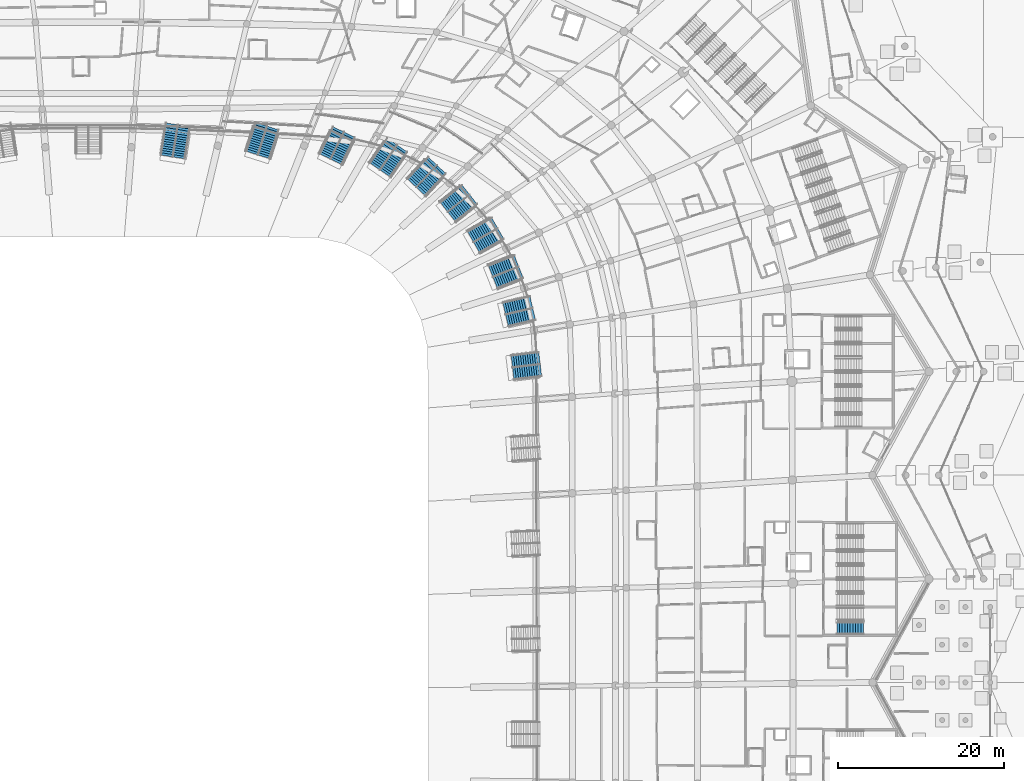
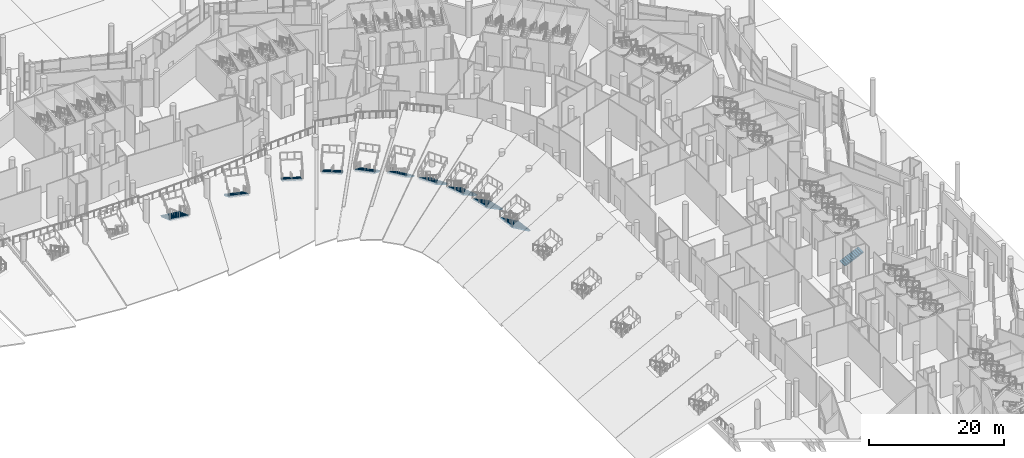
# One storey, part 177 of 255: 21 stair flights, 11 elements without a shape of their own.
"""IFC4 building model written with IfcOpenShell, lengths in metres."""

from ifc_helpers import new_model, si_unit, direction, frame, origin, place, context, subcontext, project, spatial, polyline, outline, extrude, material, type_object, element, aggregate, save


model = new_model("IFC4")

# Units and contexts
model_context = context("Model", 3, precision=1e-05, world=origin(), true_north=direction((0.0, 1.0)))
body_context = subcontext(model_context, "Body", "Model", "MODEL_VIEW")
ifc_project = project(units=[si_unit("LENGTHUNIT", "METRE"), si_unit("AREAUNIT", "SQUARE_METRE"), si_unit("VOLUMEUNIT", "CUBIC_METRE"), si_unit("PLANEANGLEUNIT", "RADIAN"), si_unit("MASSUNIT", "GRAM", prefix="KILO")], contexts=[model_context])

# Site, building, storey
site_placement = place(None, origin())
site = spatial("IfcSite", under=ifc_project, at=site_placement, CompositionType="ELEMENT")
building_placement = place(site_placement, origin())
building = spatial("IfcBuilding", under=site, at=building_placement, Name="Meseta Stadium", CompositionType="ELEMENT")
storey_placement = place(building_placement, origin())
storey = spatial("IfcBuildingStorey", under=building, at=storey_placement, Name="L00", CompositionType="ELEMENT", Elevation=0.0)

# Stair, stair flight
ifc_material_1 = material(Name="Concrete C40/50", Category="concrete")
stair_type_1 = type_object("IfcStairType", Name="Exit stair 4 flights 148 mm risers", PredefinedType="HALF_TURN_STAIR", material=ifc_material_1)
stair_1_placement = place(storey_placement, origin())
stair_1 = element("IfcStair", 1, at=stair_1_placement, inside=storey, type_object=stair_type_1, Name="ST13 L00", PredefinedType="HALF_TURN_STAIR")
ifc_material_2 = material(Name="Concrete C40/50", Category="concrete")
stair_flight_type_1 = type_object("IfcStairFlightType", Name="Exit stair flight 148 mm risers, 4 per storey", PredefinedType="STRAIGHT", material=ifc_material_2)
stair_flight_1_placement = place(storey_placement, frame((90.300048828125, 12.800048828125, 0.0), z_axis=(0.0, 0.0, 1.0), x_axis=(1.0, 0.0, 0.0)))
stair_flight_1 = element("IfcStairFlight", 2, at=stair_flight_1_placement, type_object=stair_flight_type_1, Name="ST13 L00 flight 1", NumberOfRisers=11, NumberOfTreads=10, PredefinedType="STRAIGHT", RiserHeight=0.147727273, TreadLength=0.32, context=body_context, shape_type="SweptSolid", body=[
    extrude(outline(polyline([(0.0, 0.0), (0.0, 0.147705078125), (0.320068359375, 0.147705078125), (0.320068359375, 0.29541015625), (0.639892578125, 0.29541015625), (0.639892578125, 0.443115234375), (0.9599609375, 0.443115234375), (0.9599609375, 0.5908203125), (1.280029296875, 0.5908203125), (1.280029296875, 0.738525390625), (1.60009765625, 0.738525390625), (1.60009765625, 0.886474609375), (1.919921875, 0.886474609375), (1.919921875, 1.0341796875), (2.239990234375, 1.0341796875), (2.239990234375, 1.181884765625), (2.56005859375, 1.181884765625), (2.56005859375, 1.32958984375), (2.8798828125, 1.32958984375), (2.8798828125, 1.477294921875), (3.199951171875, 1.477294921875), (3.199951171875, 1.312255859375), (0.357666015625, 0.0), (0.0, 0.0)])), frame((0.0, 0.75, 0.0), z_axis=(0.0, -1.0, 0.0), x_axis=(1.0, 0.0, 0.0)), (0.0, 0.0, 1.0), 1.5),
])
aggregate(stair_1, [stair_flight_1])

# Stair, stair flights
ifc_material_3 = material(Name="Concrete C40/50", Category="concrete")
stair_type_2 = type_object("IfcStairType", Name="Vomitory stair 3000", PredefinedType="STRAIGHT_RUN_STAIR", material=ifc_material_3)
stair_2_placement = place(storey_placement, origin())
stair_2 = element("IfcStair", 3, at=stair_2_placement, inside=storey, type_object=stair_type_2, Name="Vomitory V-lower-09", PredefinedType="STRAIGHT_RUN_STAIR")
ifc_material_4 = material(Name="Concrete C40/50", Category="concrete")
stair_flight_type_2 = type_object("IfcStairFlightType", Name="Vomitory stair flight 1450", PredefinedType="STRAIGHT", material=ifc_material_4)
stair_flight_2_placement = place(storey_placement, frame((54.60009765625, 43.8671875, 0.0), z_axis=(0.0, 0.0, 1.0), x_axis=(-0.993015017931, -0.117988025512, 0.0)))
stair_flight_2 = element("IfcStairFlight", 4, at=stair_flight_2_placement, type_object=stair_flight_type_2, Name="Vomitory V-lower-09 flight 1", NumberOfRisers=13, NumberOfTreads=12, PredefinedType="STRAIGHT", RiserHeight=0.172959, TreadLength=0.28, context=body_context, shape_type="SweptSolid", body=[
    extrude(outline(polyline([(0.0, 0.0), (0.0, 0.1728515625), (0.280029296875, 0.1728515625), (0.280029296875, 0.345947265625), (0.56005859375, 0.345947265625), (0.56005859375, 0.518798828125), (0.840087890625, 0.518798828125), (0.840087890625, 0.69189453125), (1.1201171875, 0.69189453125), (1.1201171875, 0.86474609375), (1.39990234375, 0.86474609375), (1.39990234375, 1.037841796875), (1.679931640625, 1.037841796875), (1.679931640625, 1.210693359375), (1.9599609375, 1.210693359375), (1.9599609375, 1.3837890625), (2.239990234375, 1.3837890625), (2.239990234375, 1.556640625), (2.52001953125, 1.556640625), (2.52001953125, 1.7294921875), (2.800048828125, 1.7294921875), (2.800048828125, 1.902587890625), (3.080078125, 1.902587890625), (3.080078125, 2.075439453125), (3.360107421875, 2.075439453125), (3.360107421875, 1.8994140625), (0.28515625, 0.0), (0.0, 0.0)])), frame((0.0, 0.72509765625, 0.0), z_axis=(0.0, -1.0, 0.0), x_axis=(1.0, 0.0, 0.0)), (0.0, 0.0, 1.0), 1.449951171875),
])
stair_flight_3_placement = place(storey_placement, frame((54.417236328125, 45.40625, 0.0), z_axis=(0.0, 0.0, 1.0), x_axis=(-0.993015017931, -0.117988025512, 0.0)))
stair_flight_3 = element("IfcStairFlight", 5, at=stair_flight_3_placement, type_object=stair_flight_type_2, Name="Vomitory V-lower-09 flight 2", NumberOfRisers=13, NumberOfTreads=12, PredefinedType="STRAIGHT", RiserHeight=0.172959, TreadLength=0.28, context=body_context, shape_type="SweptSolid", body=[
    extrude(outline(polyline([(0.0, 0.0), (0.0, 0.1728515625), (0.280029296875, 0.1728515625), (0.280029296875, 0.345947265625), (0.56005859375, 0.345947265625), (0.56005859375, 0.518798828125), (0.840087890625, 0.518798828125), (0.840087890625, 0.69189453125), (1.1201171875, 0.69189453125), (1.1201171875, 0.86474609375), (1.39990234375, 0.86474609375), (1.39990234375, 1.037841796875), (1.679931640625, 1.037841796875), (1.679931640625, 1.210693359375), (1.9599609375, 1.210693359375), (1.9599609375, 1.3837890625), (2.239990234375, 1.3837890625), (2.239990234375, 1.556640625), (2.52001953125, 1.556640625), (2.52001953125, 1.7294921875), (2.800048828125, 1.7294921875), (2.800048828125, 1.902587890625), (3.080078125, 1.902587890625), (3.080078125, 2.075439453125), (3.360107421875, 2.075439453125), (3.360107421875, 1.8994140625), (0.28515625, 0.0), (0.0, 0.0)])), frame((0.0, 0.72509765625, 0.0), z_axis=(0.0, -1.0, 0.0), x_axis=(1.0, 0.0, 0.0)), (0.0, 0.0, 1.0), 1.449951171875),
])
aggregate(stair_2, [stair_flight_2, stair_flight_3])

stair_3_placement = place(storey_placement, origin())
stair_3 = element("IfcStair", 6, at=stair_3_placement, inside=storey, type_object=stair_type_2, Name="Vomitory V-lower-10", PredefinedType="STRAIGHT_RUN_STAIR")
stair_flight_4_placement = place(storey_placement, frame((53.78466796875, 50.648193359375, 0.0), z_axis=(0.0, 0.0, 1.0), x_axis=(-0.973256309483, -0.229721910255, 0.0)))
stair_flight_4 = element("IfcStairFlight", 7, at=stair_flight_4_placement, type_object=stair_flight_type_2, Name="Vomitory V-lower-10 flight 1", NumberOfRisers=13, NumberOfTreads=12, PredefinedType="STRAIGHT", RiserHeight=0.164433, TreadLength=0.28, context=body_context, shape_type="SweptSolid", body=[
    extrude(outline(polyline([(0.0, 0.0), (0.0, 0.16455078125), (0.280029296875, 0.16455078125), (0.280029296875, 0.328857421875), (0.56005859375, 0.328857421875), (0.56005859375, 0.493408203125), (0.840087890625, 0.493408203125), (0.840087890625, 0.65771484375), (1.1201171875, 0.65771484375), (1.1201171875, 0.822265625), (1.39990234375, 0.822265625), (1.39990234375, 0.986572265625), (1.679931640625, 0.986572265625), (1.679931640625, 1.151123046875), (1.9599609375, 1.151123046875), (1.9599609375, 1.3154296875), (2.239990234375, 1.3154296875), (2.239990234375, 1.47998046875), (2.52001953125, 1.47998046875), (2.52001953125, 1.644287109375), (2.800048828125, 1.644287109375), (2.800048828125, 1.808837890625), (3.080078125, 1.808837890625), (3.080078125, 1.97314453125), (3.360107421875, 1.97314453125), (3.360107421875, 1.79931640625), (0.2958984375, 0.0), (0.0, 0.0)])), frame((0.0, 0.72509765625, 0.0), z_axis=(0.0, -1.0, 0.0), x_axis=(1.0, 0.0, 0.0)), (0.0, 0.0, 1.0), 1.449951171875),
])
stair_flight_5_placement = place(storey_placement, frame((53.428466796875, 52.15673828125, 0.0), z_axis=(0.0, 0.0, 1.0), x_axis=(-0.973256309483, -0.229721910255, 0.0)))
stair_flight_5 = element("IfcStairFlight", 8, at=stair_flight_5_placement, type_object=stair_flight_type_2, Name="Vomitory V-lower-10 flight 2", NumberOfRisers=13, NumberOfTreads=12, PredefinedType="STRAIGHT", RiserHeight=0.164433, TreadLength=0.28, context=body_context, shape_type="SweptSolid", body=[
    extrude(outline(polyline([(0.0, 0.0), (0.0, 0.16455078125), (0.280029296875, 0.16455078125), (0.280029296875, 0.328857421875), (0.56005859375, 0.328857421875), (0.56005859375, 0.493408203125), (0.840087890625, 0.493408203125), (0.840087890625, 0.65771484375), (1.1201171875, 0.65771484375), (1.1201171875, 0.822265625), (1.39990234375, 0.822265625), (1.39990234375, 0.986572265625), (1.679931640625, 0.986572265625), (1.679931640625, 1.151123046875), (1.9599609375, 1.151123046875), (1.9599609375, 1.3154296875), (2.239990234375, 1.3154296875), (2.239990234375, 1.47998046875), (2.52001953125, 1.47998046875), (2.52001953125, 1.644287109375), (2.800048828125, 1.644287109375), (2.800048828125, 1.808837890625), (3.080078125, 1.808837890625), (3.080078125, 1.97314453125), (3.360107421875, 1.97314453125), (3.360107421875, 1.79931640625), (0.2958984375, 0.0), (0.0, 0.0)])), frame((0.0, 0.72509765625, 0.0), z_axis=(0.0, -1.0, 0.0), x_axis=(1.0, 0.0, 0.0)), (0.0, 0.0, 1.0), 1.449951171875),
])
aggregate(stair_3, [stair_flight_4, stair_flight_5])

stair_4_placement = place(storey_placement, origin())
stair_4 = element("IfcStair", 9, at=stair_4_placement, inside=storey, type_object=stair_type_2, Name="Vomitory V-lower-11", PredefinedType="STRAIGHT_RUN_STAIR")
stair_flight_6_placement = place(storey_placement, frame((52.209228515625, 55.6787109375, 0.0), z_axis=(0.0, 0.0, 1.0), x_axis=(-0.930263326339, -0.366892550576, 0.0)))
stair_flight_6 = element("IfcStairFlight", 10, at=stair_flight_6_placement, type_object=stair_flight_type_2, Name="Vomitory V-lower-11 flight 1", NumberOfRisers=13, NumberOfTreads=12, PredefinedType="STRAIGHT", RiserHeight=0.164429, TreadLength=0.28, context=body_context, shape_type="SweptSolid", body=[
    extrude(outline(polyline([(0.0, 0.0), (0.0, 0.16455078125), (0.280029296875, 0.16455078125), (0.280029296875, 0.328857421875), (0.56005859375, 0.328857421875), (0.56005859375, 0.493408203125), (0.840087890625, 0.493408203125), (0.840087890625, 0.65771484375), (1.1201171875, 0.65771484375), (1.1201171875, 0.822265625), (1.39990234375, 0.822265625), (1.39990234375, 0.986572265625), (1.679931640625, 0.986572265625), (1.679931640625, 1.151123046875), (1.9599609375, 1.151123046875), (1.9599609375, 1.3154296875), (2.239990234375, 1.3154296875), (2.239990234375, 1.47998046875), (2.52001953125, 1.47998046875), (2.52001953125, 1.644287109375), (2.800048828125, 1.644287109375), (2.800048828125, 1.808837890625), (3.080078125, 1.808837890625), (3.080078125, 1.97314453125), (3.360107421875, 1.97314453125), (3.360107421875, 1.79931640625), (0.296142578125, 0.0), (0.0, 0.0)])), frame((0.0, 0.72509765625, 0.0), z_axis=(0.0, -1.0, 0.0), x_axis=(1.0, 0.0, 0.0)), (0.0, 0.0, 1.0), 1.449951171875),
])
stair_flight_7_placement = place(storey_placement, frame((51.640625, 57.12060546875, 0.0), z_axis=(0.0, 0.0, 1.0), x_axis=(-0.930263326339, -0.366892550576, 0.0)))
stair_flight_7 = element("IfcStairFlight", 11, at=stair_flight_7_placement, type_object=stair_flight_type_2, Name="Vomitory V-lower-11 flight 2", NumberOfRisers=13, NumberOfTreads=12, PredefinedType="STRAIGHT", RiserHeight=0.164429, TreadLength=0.28, context=body_context, shape_type="SweptSolid", body=[
    extrude(outline(polyline([(0.0, 0.0), (0.0, 0.16455078125), (0.280029296875, 0.16455078125), (0.280029296875, 0.328857421875), (0.56005859375, 0.328857421875), (0.56005859375, 0.493408203125), (0.840087890625, 0.493408203125), (0.840087890625, 0.65771484375), (1.1201171875, 0.65771484375), (1.1201171875, 0.822265625), (1.39990234375, 0.822265625), (1.39990234375, 0.986572265625), (1.679931640625, 0.986572265625), (1.679931640625, 1.151123046875), (1.9599609375, 1.151123046875), (1.9599609375, 1.3154296875), (2.239990234375, 1.3154296875), (2.239990234375, 1.47998046875), (2.52001953125, 1.47998046875), (2.52001953125, 1.644287109375), (2.800048828125, 1.644287109375), (2.800048828125, 1.808837890625), (3.080078125, 1.808837890625), (3.080078125, 1.97314453125), (3.360107421875, 1.97314453125), (3.360107421875, 1.79931640625), (0.296142578125, 0.0), (0.0, 0.0)])), frame((0.0, 0.72509765625, 0.0), z_axis=(0.0, -1.0, 0.0), x_axis=(1.0, 0.0, 0.0)), (0.0, 0.0, 1.0), 1.449951171875),
])
aggregate(stair_4, [stair_flight_6, stair_flight_7])

stair_5_placement = place(storey_placement, origin())
stair_5 = element("IfcStair", 12, at=stair_5_placement, inside=storey, type_object=stair_type_2, Name="Vomitory V-lower-12", PredefinedType="STRAIGHT_RUN_STAIR")
stair_flight_8_placement = place(storey_placement, frame((49.777587890625, 60.35498046875, 0.0), z_axis=(0.0, 0.0, 1.0), x_axis=(-0.867711670531, -0.497067859376, 0.0)))
stair_flight_8 = element("IfcStairFlight", 13, at=stair_flight_8_placement, type_object=stair_flight_type_2, Name="Vomitory V-lower-12 flight 1", NumberOfRisers=13, NumberOfTreads=12, PredefinedType="STRAIGHT", RiserHeight=0.168326, TreadLength=0.28, context=body_context, shape_type="SweptSolid", body=[
    extrude(outline(polyline([(0.0, 0.0), (0.0, 0.168212890625), (0.280029296875, 0.168212890625), (0.280029296875, 0.336669921875), (0.56005859375, 0.336669921875), (0.56005859375, 0.5048828125), (0.840087890625, 0.5048828125), (0.840087890625, 0.67333984375), (1.1201171875, 0.67333984375), (1.1201171875, 0.841552734375), (1.39990234375, 0.841552734375), (1.39990234375, 1.010009765625), (1.679931640625, 1.010009765625), (1.679931640625, 1.17822265625), (1.9599609375, 1.17822265625), (1.9599609375, 1.3466796875), (2.239990234375, 1.3466796875), (2.239990234375, 1.514892578125), (2.52001953125, 1.514892578125), (2.52001953125, 1.683349609375), (2.800048828125, 1.683349609375), (2.800048828125, 1.8515625), (3.080078125, 1.8515625), (3.080078125, 2.02001953125), (3.360107421875, 2.02001953125), (3.360107421875, 1.844970703125), (0.291015625, 0.0), (0.0, 0.0)])), frame((0.0, 0.72509765625, 0.0), z_axis=(0.0, -1.0, 0.0), x_axis=(1.0, 0.0, 0.0)), (0.0, 0.0, 1.0), 1.449951171875),
])
stair_flight_9_placement = place(storey_placement, frame((49.007080078125, 61.699951171875, 0.0), z_axis=(0.0, 0.0, 1.0), x_axis=(-0.867711670531, -0.497067859376, 0.0)))
stair_flight_9 = element("IfcStairFlight", 14, at=stair_flight_9_placement, type_object=stair_flight_type_2, Name="Vomitory V-lower-12 flight 2", NumberOfRisers=13, NumberOfTreads=12, PredefinedType="STRAIGHT", RiserHeight=0.168326, TreadLength=0.28, context=body_context, shape_type="SweptSolid", body=[
    extrude(outline(polyline([(0.0, 0.0), (0.0, 0.168212890625), (0.280029296875, 0.168212890625), (0.280029296875, 0.336669921875), (0.56005859375, 0.336669921875), (0.56005859375, 0.5048828125), (0.840087890625, 0.5048828125), (0.840087890625, 0.67333984375), (1.1201171875, 0.67333984375), (1.1201171875, 0.841552734375), (1.39990234375, 0.841552734375), (1.39990234375, 1.010009765625), (1.679931640625, 1.010009765625), (1.679931640625, 1.17822265625), (1.9599609375, 1.17822265625), (1.9599609375, 1.3466796875), (2.239990234375, 1.3466796875), (2.239990234375, 1.514892578125), (2.52001953125, 1.514892578125), (2.52001953125, 1.683349609375), (2.800048828125, 1.683349609375), (2.800048828125, 1.8515625), (3.080078125, 1.8515625), (3.080078125, 2.02001953125), (3.360107421875, 2.02001953125), (3.360107421875, 1.844970703125), (0.291015625, 0.0), (0.0, 0.0)])), frame((0.0, 0.72509765625, 0.0), z_axis=(0.0, -1.0, 0.0), x_axis=(1.0, 0.0, 0.0)), (0.0, 0.0, 1.0), 1.449951171875),
])
aggregate(stair_5, [stair_flight_8, stair_flight_9])

stair_6_placement = place(storey_placement, origin())
stair_6 = element("IfcStair", 15, at=stair_6_placement, inside=storey, type_object=stair_type_2, Name="Vomitory V-lower-13", PredefinedType="STRAIGHT_RUN_STAIR")
stair_flight_10_placement = place(storey_placement, frame((46.481201171875, 64.47998046875, 0.0), z_axis=(0.0, 0.0, 1.0), x_axis=(-0.786141751877, -0.618046232862, 0.0)))
stair_flight_10 = element("IfcStairFlight", 16, at=stair_flight_10_placement, type_object=stair_flight_type_2, Name="Vomitory V-lower-13 flight 1", NumberOfRisers=13, NumberOfTreads=12, PredefinedType="STRAIGHT", RiserHeight=0.172209, TreadLength=0.28, context=body_context, shape_type="SweptSolid", body=[
    extrude(outline(polyline([(0.0, 0.0), (0.0, 0.172119140625), (0.280029296875, 0.172119140625), (0.280029296875, 0.344482421875), (0.56005859375, 0.344482421875), (0.56005859375, 0.5166015625), (0.840087890625, 0.5166015625), (0.840087890625, 0.688720703125), (1.1201171875, 0.688720703125), (1.1201171875, 0.861083984375), (1.39990234375, 0.861083984375), (1.39990234375, 1.033203125), (1.679931640625, 1.033203125), (1.679931640625, 1.20556640625), (1.9599609375, 1.20556640625), (1.9599609375, 1.377685546875), (2.239990234375, 1.377685546875), (2.239990234375, 1.5498046875), (2.52001953125, 1.5498046875), (2.52001953125, 1.72216796875), (2.800048828125, 1.72216796875), (2.800048828125, 1.894287109375), (3.080078125, 1.894287109375), (3.080078125, 2.06640625), (3.360107421875, 2.06640625), (3.360107421875, 1.890625), (0.2861328125, 0.0), (0.0, 0.0)])), frame((0.0, 0.72509765625, 0.0), z_axis=(0.0, -1.0, 0.0), x_axis=(1.0, 0.0, 0.0)), (0.0, 0.0, 1.0), 1.449951171875),
])
stair_flight_11_placement = place(storey_placement, frame((45.523193359375, 65.698486328125, 0.0), z_axis=(0.0, 0.0, 1.0), x_axis=(-0.786141751877, -0.618046232862, 0.0)))
stair_flight_11 = element("IfcStairFlight", 17, at=stair_flight_11_placement, type_object=stair_flight_type_2, Name="Vomitory V-lower-13 flight 2", NumberOfRisers=13, NumberOfTreads=12, PredefinedType="STRAIGHT", RiserHeight=0.172209, TreadLength=0.28, context=body_context, shape_type="SweptSolid", body=[
    extrude(outline(polyline([(0.0, 0.0), (0.0, 0.172119140625), (0.280029296875, 0.172119140625), (0.280029296875, 0.344482421875), (0.56005859375, 0.344482421875), (0.56005859375, 0.5166015625), (0.840087890625, 0.5166015625), (0.840087890625, 0.688720703125), (1.1201171875, 0.688720703125), (1.1201171875, 0.861083984375), (1.39990234375, 0.861083984375), (1.39990234375, 1.033203125), (1.679931640625, 1.033203125), (1.679931640625, 1.20556640625), (1.9599609375, 1.20556640625), (1.9599609375, 1.377685546875), (2.239990234375, 1.377685546875), (2.239990234375, 1.5498046875), (2.52001953125, 1.5498046875), (2.52001953125, 1.72216796875), (2.800048828125, 1.72216796875), (2.800048828125, 1.894287109375), (3.080078125, 1.894287109375), (3.080078125, 2.06640625), (3.360107421875, 2.06640625), (3.360107421875, 1.890625), (0.2861328125, 0.0), (0.0, 0.0)])), frame((0.0, 0.72509765625, 0.0), z_axis=(0.0, -1.0, 0.0), x_axis=(1.0, 0.0, 0.0)), (0.0, 0.0, 1.0), 1.449951171875),
])
aggregate(stair_6, [stair_flight_10, stair_flight_11])

stair_7_placement = place(storey_placement, origin())
stair_7 = element("IfcStair", 18, at=stair_7_placement, inside=storey, type_object=stair_type_2, Name="Vomitory V-lower-14", PredefinedType="STRAIGHT_RUN_STAIR")
stair_flight_12_placement = place(storey_placement, frame((42.6298828125, 68.103759765625, 0.0), z_axis=(0.0, 0.0, 1.0), x_axis=(-0.686064733008, -0.72754050205, 0.0)))
stair_flight_12 = element("IfcStairFlight", 19, at=stair_flight_12_placement, type_object=stair_flight_type_2, Name="Vomitory V-lower-14 flight 1", NumberOfRisers=14, NumberOfTreads=13, PredefinedType="STRAIGHT", RiserHeight=0.163499, TreadLength=0.28, context=body_context, shape_type="SweptSolid", body=[
    extrude(outline(polyline([(0.0, 0.0), (0.0, 0.16357421875), (0.280029296875, 0.16357421875), (0.280029296875, 0.326904296875), (0.56005859375, 0.326904296875), (0.56005859375, 0.490478515625), (0.840087890625, 0.490478515625), (0.840087890625, 0.654052734375), (1.1201171875, 0.654052734375), (1.1201171875, 0.8173828125), (1.39990234375, 0.8173828125), (1.39990234375, 0.98095703125), (1.679931640625, 0.98095703125), (1.679931640625, 1.14453125), (1.9599609375, 1.14453125), (1.9599609375, 1.30810546875), (2.239990234375, 1.30810546875), (2.239990234375, 1.471435546875), (2.52001953125, 1.471435546875), (2.52001953125, 1.635009765625), (2.800048828125, 1.635009765625), (2.800048828125, 1.798583984375), (3.080078125, 1.798583984375), (3.080078125, 1.9619140625), (3.360107421875, 1.9619140625), (3.360107421875, 2.12548828125), (3.639892578125, 2.12548828125), (3.639892578125, 1.951904296875), (0.29736328125, 0.0), (0.0, 0.0)])), frame((0.0, 0.72509765625, 0.0), z_axis=(0.0, -1.0, 0.0), x_axis=(1.0, 0.0, 0.0)), (0.0, 0.0, 1.0), 1.449951171875),
])
stair_flight_13_placement = place(storey_placement, frame((41.502197265625, 69.167236328125, 0.0), z_axis=(0.0, 0.0, 1.0), x_axis=(-0.686064733008, -0.72754050205, 0.0)))
stair_flight_13 = element("IfcStairFlight", 20, at=stair_flight_13_placement, type_object=stair_flight_type_2, Name="Vomitory V-lower-14 flight 2", NumberOfRisers=14, NumberOfTreads=13, PredefinedType="STRAIGHT", RiserHeight=0.163499, TreadLength=0.28, context=body_context, shape_type="SweptSolid", body=[
    extrude(outline(polyline([(0.0, 0.0), (0.0, 0.16357421875), (0.280029296875, 0.16357421875), (0.280029296875, 0.326904296875), (0.56005859375, 0.326904296875), (0.56005859375, 0.490478515625), (0.840087890625, 0.490478515625), (0.840087890625, 0.654052734375), (1.1201171875, 0.654052734375), (1.1201171875, 0.8173828125), (1.39990234375, 0.8173828125), (1.39990234375, 0.98095703125), (1.679931640625, 0.98095703125), (1.679931640625, 1.14453125), (1.9599609375, 1.14453125), (1.9599609375, 1.30810546875), (2.239990234375, 1.30810546875), (2.239990234375, 1.471435546875), (2.52001953125, 1.471435546875), (2.52001953125, 1.635009765625), (2.800048828125, 1.635009765625), (2.800048828125, 1.798583984375), (3.080078125, 1.798583984375), (3.080078125, 1.9619140625), (3.360107421875, 1.9619140625), (3.360107421875, 2.12548828125), (3.639892578125, 2.12548828125), (3.639892578125, 1.951904296875), (0.29736328125, 0.0), (0.0, 0.0)])), frame((0.0, 0.72509765625, 0.0), z_axis=(0.0, -1.0, 0.0), x_axis=(1.0, 0.0, 0.0)), (0.0, 0.0, 1.0), 1.449951171875),
])
aggregate(stair_7, [stair_flight_12, stair_flight_13])

stair_8_placement = place(storey_placement, origin())
stair_8 = element("IfcStair", 21, at=stair_8_placement, inside=storey, type_object=stair_type_2, Name="Vomitory V-lower-15", PredefinedType="STRAIGHT_RUN_STAIR")
stair_flight_14_placement = place(storey_placement, frame((37.889892578125, 70.636474609375, 0.0), z_axis=(0.0, 0.0, 1.0), x_axis=(-0.567899772853, -0.82309771473, 0.0)))
stair_flight_14 = element("IfcStairFlight", 22, at=stair_flight_14_placement, type_object=stair_flight_type_2, Name="Vomitory V-lower-15 flight 1", NumberOfRisers=14, NumberOfTreads=13, PredefinedType="STRAIGHT", RiserHeight=0.163434, TreadLength=0.28, context=body_context, shape_type="SweptSolid", body=[
    extrude(outline(polyline([(0.0, 0.0), (0.0, 0.163330078125), (0.280029296875, 0.163330078125), (0.280029296875, 0.326904296875), (0.56005859375, 0.326904296875), (0.56005859375, 0.490234375), (0.840087890625, 0.490234375), (0.840087890625, 0.65380859375), (1.1201171875, 0.65380859375), (1.1201171875, 0.817138671875), (1.39990234375, 0.817138671875), (1.39990234375, 0.980712890625), (1.679931640625, 0.980712890625), (1.679931640625, 1.14404296875), (1.9599609375, 1.14404296875), (1.9599609375, 1.307373046875), (2.239990234375, 1.307373046875), (2.239990234375, 1.470947265625), (2.52001953125, 1.470947265625), (2.52001953125, 1.63427734375), (2.800048828125, 1.63427734375), (2.800048828125, 1.7978515625), (3.080078125, 1.7978515625), (3.080078125, 1.961181640625), (3.360107421875, 1.961181640625), (3.360107421875, 2.124755859375), (3.639892578125, 2.124755859375), (3.639892578125, 1.951171875), (0.29736328125, 0.0), (0.0, 0.0)])), frame((0.0, 0.72509765625, 0.0), z_axis=(0.0, -1.0, 0.0), x_axis=(1.0, 0.0, 0.0)), (0.0, 0.0, 1.0), 1.449951171875),
])
stair_flight_15_placement = place(storey_placement, frame((36.614013671875, 71.5166015625, 0.0), z_axis=(0.0, 0.0, 1.0), x_axis=(-0.567899772853, -0.82309771473, 0.0)))
stair_flight_15 = element("IfcStairFlight", 23, at=stair_flight_15_placement, type_object=stair_flight_type_2, Name="Vomitory V-lower-15 flight 2", NumberOfRisers=14, NumberOfTreads=13, PredefinedType="STRAIGHT", RiserHeight=0.163434, TreadLength=0.28, context=body_context, shape_type="SweptSolid", body=[
    extrude(outline(polyline([(0.0, 0.0), (0.0, 0.163330078125), (0.280029296875, 0.163330078125), (0.280029296875, 0.326904296875), (0.56005859375, 0.326904296875), (0.56005859375, 0.490234375), (0.840087890625, 0.490234375), (0.840087890625, 0.65380859375), (1.1201171875, 0.65380859375), (1.1201171875, 0.817138671875), (1.39990234375, 0.817138671875), (1.39990234375, 0.980712890625), (1.679931640625, 0.980712890625), (1.679931640625, 1.14404296875), (1.9599609375, 1.14404296875), (1.9599609375, 1.307373046875), (2.239990234375, 1.307373046875), (2.239990234375, 1.470947265625), (2.52001953125, 1.470947265625), (2.52001953125, 1.63427734375), (2.800048828125, 1.63427734375), (2.800048828125, 1.7978515625), (3.080078125, 1.7978515625), (3.080078125, 1.961181640625), (3.360107421875, 1.961181640625), (3.360107421875, 2.124755859375), (3.639892578125, 2.124755859375), (3.639892578125, 1.951171875), (0.29736328125, 0.0), (0.0, 0.0)])), frame((0.0, 0.72509765625, 0.0), z_axis=(0.0, -1.0, 0.0), x_axis=(1.0, 0.0, 0.0)), (0.0, 0.0, 1.0), 1.449951171875),
])
aggregate(stair_8, [stair_flight_14, stair_flight_15])

stair_9_placement = place(storey_placement, origin())
stair_9 = element("IfcStair", 24, at=stair_9_placement, inside=storey, type_object=stair_type_2, Name="Vomitory V-lower-16", PredefinedType="STRAIGHT_RUN_STAIR")
stair_flight_16_placement = place(storey_placement, frame((31.527587890625, 72.310791015625, 0.0), z_axis=(0.0, 0.0, 1.0), x_axis=(-0.437966379942, -0.898991351483, 0.0)))
stair_flight_16 = element("IfcStairFlight", 25, at=stair_flight_16_placement, type_object=stair_flight_type_2, Name="Vomitory V-lower-16 flight 1", NumberOfRisers=14, NumberOfTreads=13, PredefinedType="STRAIGHT", RiserHeight=0.16719, TreadLength=0.28, context=body_context, shape_type="SweptSolid", body=[
    extrude(outline(polyline([(0.0, 0.0), (0.0, 0.167236328125), (0.280029296875, 0.167236328125), (0.280029296875, 0.33447265625), (0.56005859375, 0.33447265625), (0.56005859375, 0.50146484375), (0.840087890625, 0.50146484375), (0.840087890625, 0.668701171875), (1.1201171875, 0.668701171875), (1.1201171875, 0.8359375), (1.39990234375, 0.8359375), (1.39990234375, 1.003173828125), (1.679931640625, 1.003173828125), (1.679931640625, 1.17041015625), (1.9599609375, 1.17041015625), (1.9599609375, 1.33740234375), (2.239990234375, 1.33740234375), (2.239990234375, 1.504638671875), (2.52001953125, 1.504638671875), (2.52001953125, 1.671875), (2.800048828125, 1.671875), (2.800048828125, 1.839111328125), (3.080078125, 1.839111328125), (3.080078125, 2.00634765625), (3.360107421875, 2.00634765625), (3.360107421875, 2.173583984375), (3.639892578125, 2.173583984375), (3.639892578125, 1.998779296875), (0.29248046875, 0.0), (0.0, 0.0)])), frame((0.0, 0.72509765625, 0.0), z_axis=(0.0, -1.0, 0.0), x_axis=(1.0, 0.0, 0.0)), (0.0, 0.0, 1.0), 1.449951171875),
])
stair_flight_17_placement = place(storey_placement, frame((30.13427734375, 72.98974609375, 0.0), z_axis=(0.0, 0.0, 1.0), x_axis=(-0.437966379942, -0.898991351483, 0.0)))
stair_flight_17 = element("IfcStairFlight", 26, at=stair_flight_17_placement, type_object=stair_flight_type_2, Name="Vomitory V-lower-16 flight 2", NumberOfRisers=14, NumberOfTreads=13, PredefinedType="STRAIGHT", RiserHeight=0.16719, TreadLength=0.28, context=body_context, shape_type="SweptSolid", body=[
    extrude(outline(polyline([(0.0, 0.0), (0.0, 0.167236328125), (0.280029296875, 0.167236328125), (0.280029296875, 0.33447265625), (0.56005859375, 0.33447265625), (0.56005859375, 0.50146484375), (0.840087890625, 0.50146484375), (0.840087890625, 0.668701171875), (1.1201171875, 0.668701171875), (1.1201171875, 0.8359375), (1.39990234375, 0.8359375), (1.39990234375, 1.003173828125), (1.679931640625, 1.003173828125), (1.679931640625, 1.17041015625), (1.9599609375, 1.17041015625), (1.9599609375, 1.33740234375), (2.239990234375, 1.33740234375), (2.239990234375, 1.504638671875), (2.52001953125, 1.504638671875), (2.52001953125, 1.671875), (2.800048828125, 1.671875), (2.800048828125, 1.839111328125), (3.080078125, 1.839111328125), (3.080078125, 2.00634765625), (3.360107421875, 2.00634765625), (3.360107421875, 2.173583984375), (3.639892578125, 2.173583984375), (3.639892578125, 1.998779296875), (0.29248046875, 0.0), (0.0, 0.0)])), frame((0.0, 0.72509765625, 0.0), z_axis=(0.0, -1.0, 0.0), x_axis=(1.0, 0.0, 0.0)), (0.0, 0.0, 1.0), 1.449951171875),
])
aggregate(stair_9, [stair_flight_16, stair_flight_17])

stair_10_placement = place(storey_placement, origin())
stair_10 = element("IfcStair", 27, at=stair_10_placement, inside=storey, type_object=stair_type_2, Name="Vomitory V-lower-17", PredefinedType="STRAIGHT_RUN_STAIR")
stair_flight_18_placement = place(storey_placement, frame((22.2958984375, 73.126708984375, 0.0), z_axis=(0.0, 0.0, 1.0), x_axis=(-0.302579501013, -0.953124150133, 0.0)))
stair_flight_18 = element("IfcStairFlight", 28, at=stair_flight_18_placement, type_object=stair_flight_type_2, Name="Vomitory V-lower-17 flight 1", NumberOfRisers=14, NumberOfTreads=13, PredefinedType="STRAIGHT", RiserHeight=0.163589, TreadLength=0.28, context=body_context, shape_type="SweptSolid", body=[
    extrude(outline(polyline([(0.0, 0.0), (0.0, 0.16357421875), (0.280029296875, 0.16357421875), (0.280029296875, 0.3271484375), (0.56005859375, 0.3271484375), (0.56005859375, 0.49072265625), (0.840087890625, 0.49072265625), (0.840087890625, 0.654296875), (1.1201171875, 0.654296875), (1.1201171875, 0.81787109375), (1.39990234375, 0.81787109375), (1.39990234375, 0.9814453125), (1.679931640625, 0.9814453125), (1.679931640625, 1.14501953125), (1.9599609375, 1.14501953125), (1.9599609375, 1.30859375), (2.239990234375, 1.30859375), (2.239990234375, 1.472412109375), (2.52001953125, 1.472412109375), (2.52001953125, 1.635986328125), (2.800048828125, 1.635986328125), (2.800048828125, 1.799560546875), (3.080078125, 1.799560546875), (3.080078125, 1.963134765625), (3.360107421875, 1.963134765625), (3.360107421875, 2.126708984375), (3.639892578125, 2.126708984375), (3.639892578125, 1.953125), (0.297119140625, 0.0), (0.0, 0.0)])), frame((0.0, 0.72509765625, 0.0), z_axis=(0.0, -1.0, 0.0), x_axis=(1.0, 0.0, 0.0)), (0.0, 0.0, 1.0), 1.449951171875),
])
stair_flight_19_placement = place(storey_placement, frame((20.818603515625, 73.595703125, 0.0), z_axis=(0.0, 0.0, 1.0), x_axis=(-0.302579501013, -0.953124150133, 0.0)))
stair_flight_19 = element("IfcStairFlight", 29, at=stair_flight_19_placement, type_object=stair_flight_type_2, Name="Vomitory V-lower-17 flight 2", NumberOfRisers=14, NumberOfTreads=13, PredefinedType="STRAIGHT", RiserHeight=0.163589, TreadLength=0.28, context=body_context, shape_type="SweptSolid", body=[
    extrude(outline(polyline([(0.0, 0.0), (0.0, 0.16357421875), (0.280029296875, 0.16357421875), (0.280029296875, 0.3271484375), (0.56005859375, 0.3271484375), (0.56005859375, 0.49072265625), (0.840087890625, 0.49072265625), (0.840087890625, 0.654296875), (1.1201171875, 0.654296875), (1.1201171875, 0.81787109375), (1.39990234375, 0.81787109375), (1.39990234375, 0.9814453125), (1.679931640625, 0.9814453125), (1.679931640625, 1.14501953125), (1.9599609375, 1.14501953125), (1.9599609375, 1.30859375), (2.239990234375, 1.30859375), (2.239990234375, 1.472412109375), (2.52001953125, 1.472412109375), (2.52001953125, 1.635986328125), (2.800048828125, 1.635986328125), (2.800048828125, 1.799560546875), (3.080078125, 1.799560546875), (3.080078125, 1.963134765625), (3.360107421875, 1.963134765625), (3.360107421875, 2.126708984375), (3.639892578125, 2.126708984375), (3.639892578125, 1.953125), (0.297119140625, 0.0), (0.0, 0.0)])), frame((0.0, 0.72509765625, 0.0), z_axis=(0.0, -1.0, 0.0), x_axis=(1.0, 0.0, 0.0)), (0.0, 0.0, 1.0), 1.449951171875),
])
aggregate(stair_10, [stair_flight_18, stair_flight_19])

stair_11_placement = place(storey_placement, origin())
stair_11 = element("IfcStair", 30, at=stair_11_placement, inside=storey, type_object=stair_type_2, Name="Vomitory V-lower-18", PredefinedType="STRAIGHT_RUN_STAIR")
stair_flight_20_placement = place(storey_placement, frame((11.569091796875, 73.4013671875, 0.0), z_axis=(0.0, 0.0, 1.0), x_axis=(-0.15676715754, -0.987635589839, 0.0)))
stair_flight_20 = element("IfcStairFlight", 31, at=stair_flight_20_placement, type_object=stair_flight_type_2, Name="Vomitory V-lower-18 flight 1", NumberOfRisers=15, NumberOfTreads=14, PredefinedType="STRAIGHT", RiserHeight=0.132206, TreadLength=0.28, context=body_context, shape_type="SweptSolid", body=[
    extrude(outline(polyline([(0.0, 0.0), (0.0, 0.13232421875), (0.280029296875, 0.13232421875), (0.280029296875, 0.264404296875), (0.56005859375, 0.264404296875), (0.56005859375, 0.396728515625), (0.840087890625, 0.396728515625), (0.840087890625, 0.52880859375), (1.1201171875, 0.52880859375), (1.1201171875, 0.6611328125), (1.39990234375, 0.6611328125), (1.39990234375, 0.793212890625), (1.679931640625, 0.793212890625), (1.679931640625, 0.925537109375), (1.9599609375, 0.925537109375), (1.9599609375, 1.0576171875), (2.239990234375, 1.0576171875), (2.239990234375, 1.18994140625), (2.52001953125, 1.18994140625), (2.52001953125, 1.322021484375), (2.800048828125, 1.322021484375), (2.800048828125, 1.454345703125), (3.080078125, 1.454345703125), (3.080078125, 1.58642578125), (3.360107421875, 1.58642578125), (3.360107421875, 1.71875), (3.639892578125, 1.71875), (3.639892578125, 1.850830078125), (3.919921875, 1.850830078125), (3.919921875, 1.68505859375), (0.35107421875, 0.0), (0.0, 0.0)])), frame((0.0, 0.72509765625, 0.0), z_axis=(0.0, -1.0, 0.0), x_axis=(1.0, 0.0, 0.0)), (0.0, 0.0, 1.0), 1.449951171875),
])
stair_flight_21_placement = place(storey_placement, frame((10.038330078125, 73.644287109375, 0.0), z_axis=(0.0, 0.0, 1.0), x_axis=(-0.15676715754, -0.987635589839, 0.0)))
stair_flight_21 = element("IfcStairFlight", 32, at=stair_flight_21_placement, type_object=stair_flight_type_2, Name="Vomitory V-lower-18 flight 2", NumberOfRisers=15, NumberOfTreads=14, PredefinedType="STRAIGHT", RiserHeight=0.132206, TreadLength=0.28, context=body_context, shape_type="SweptSolid", body=[
    extrude(outline(polyline([(0.0, 0.0), (0.0, 0.13232421875), (0.280029296875, 0.13232421875), (0.280029296875, 0.264404296875), (0.56005859375, 0.264404296875), (0.56005859375, 0.396728515625), (0.840087890625, 0.396728515625), (0.840087890625, 0.52880859375), (1.1201171875, 0.52880859375), (1.1201171875, 0.6611328125), (1.39990234375, 0.6611328125), (1.39990234375, 0.793212890625), (1.679931640625, 0.793212890625), (1.679931640625, 0.925537109375), (1.9599609375, 0.925537109375), (1.9599609375, 1.0576171875), (2.239990234375, 1.0576171875), (2.239990234375, 1.18994140625), (2.52001953125, 1.18994140625), (2.52001953125, 1.322021484375), (2.800048828125, 1.322021484375), (2.800048828125, 1.454345703125), (3.080078125, 1.454345703125), (3.080078125, 1.58642578125), (3.360107421875, 1.58642578125), (3.360107421875, 1.71875), (3.639892578125, 1.71875), (3.639892578125, 1.850830078125), (3.919921875, 1.850830078125), (3.919921875, 1.68505859375), (0.35107421875, 0.0), (0.0, 0.0)])), frame((0.0, 0.72509765625, 0.0), z_axis=(0.0, -1.0, 0.0), x_axis=(1.0, 0.0, 0.0)), (0.0, 0.0, 1.0), 1.449951171875),
])
aggregate(stair_11, [stair_flight_20, stair_flight_21])

save(model, "model.ifc")
